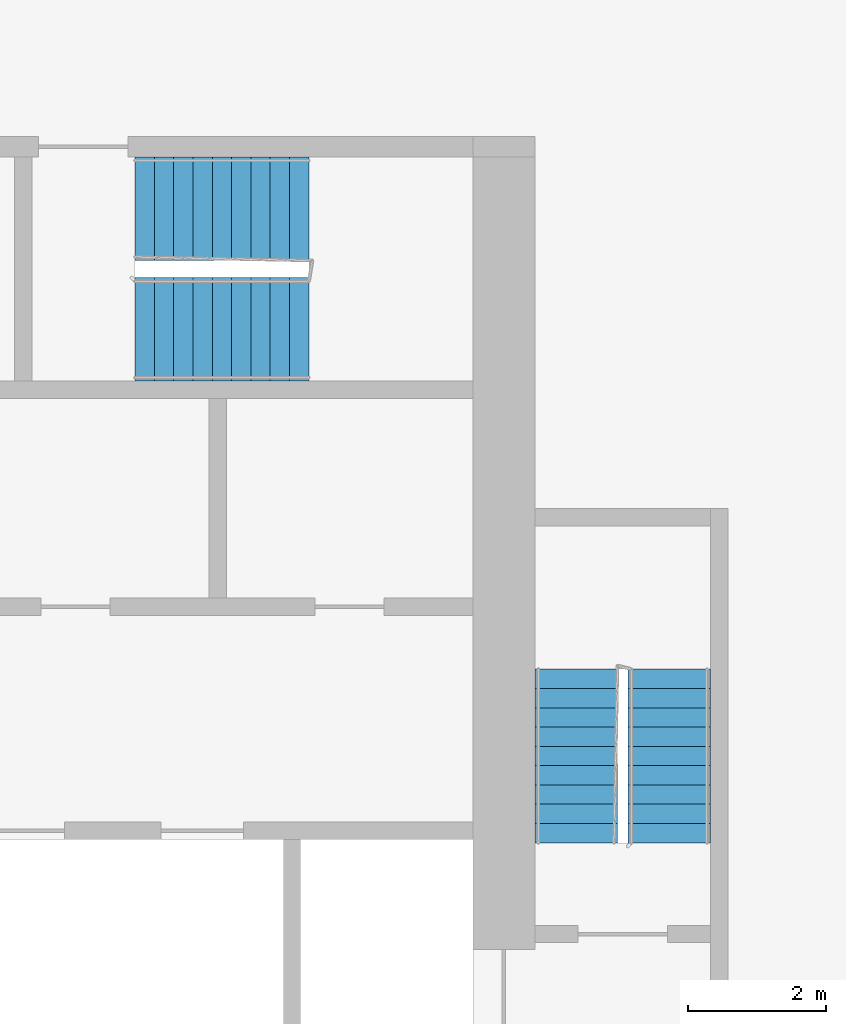
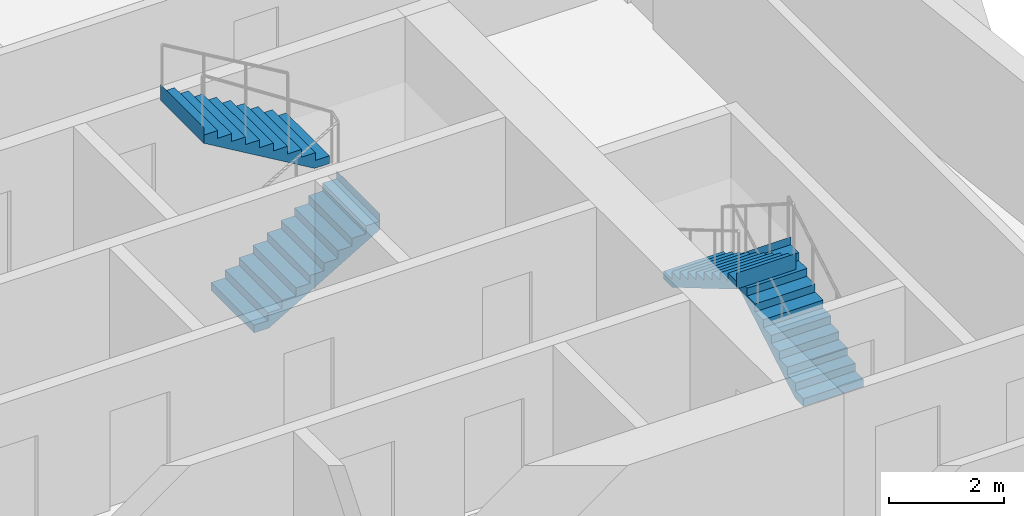
# One storey, part 11 of 13: 4 stair flights, 2 elements without a shape of their own.
"""IFC4 building model written with IfcOpenShell, lengths in metres."""

from ifc_helpers import new_model, si_unit, direction, frame, origin, place, context, subcontext, project, spatial, faceted_brep, material, type_object, element, aggregate, save


model = new_model("IFC4")

# Units and contexts
model_context = context("Model", 3, precision=1e-05, world=origin(), true_north=direction((0.0, 1.0)))
body_context = subcontext(model_context, "Body", "Model", "MODEL_VIEW")
ifc_project = project(units=[si_unit("LENGTHUNIT", "METRE"), si_unit("AREAUNIT", "SQUARE_METRE"), si_unit("VOLUMEUNIT", "CUBIC_METRE"), si_unit("PLANEANGLEUNIT", "RADIAN"), si_unit("MASSUNIT", "GRAM", prefix="KILO")], contexts=[model_context])

# Site, building, storey
site_placement = place(None, origin())
site = spatial("IfcSite", under=ifc_project, at=site_placement, CompositionType="ELEMENT")
building_placement = place(site_placement, origin())
building = spatial("IfcBuilding", under=site, at=building_placement, Name="Kajstack Hotel Tower", CompositionType="ELEMENT")
storey_placement = place(building_placement, frame((0.0, 0.0, 186.699951171875)))
storey = spatial("IfcBuildingStorey", under=building, at=storey_placement, Name="L44", CompositionType="ELEMENT", Elevation=186.699951171875)

# Stair, stair flights
ifc_material = material(Name="Concrete C40/50", Category="concrete")
stair_type_1 = type_object("IfcStairType", Name="Exit stair 1200", PredefinedType="HALF_TURN_STAIR", material=ifc_material)
stair_1_placement = place(storey_placement, origin())
stair_1 = element("IfcStair", 1, at=stair_1_placement, inside=storey, type_object=stair_type_1, Name="L44 stair E1", PredefinedType="HALF_TURN_STAIR")
stair_flight_type_1 = type_object("IfcStairFlightType", Name="Exit stair flight 1200", PredefinedType="STRAIGHT", material=ifc_material)
stair_flight_1_placement = place(storey_placement, frame((33.449951171875, 5.25, 0.0), z_axis=(0.0, 0.0, 1.0), x_axis=(0.0, 1.0, 0.0)))
stair_flight_1 = element("IfcStairFlight", 2, at=stair_flight_1_placement, type_object=stair_flight_type_1, Name="E1 flight 1", NumberOfRisers=10, NumberOfTreads=9, PredefinedType="STRAIGHT", RiserHeight=0.165, TreadLength=0.28, context=body_context, shape_type="Brep", body=[
    faceted_brep([(0.295654296875, -0.60009765625, 0.0), (2.5205078125, -0.60009765625, 1.31103515625), (2.5205078125, -0.60009765625, 1.64990234375), (2.52001953125, -0.60009765625, 1.64990234375), (2.52001953125, -0.60009765625, 1.485107421875), (2.239990234375, -0.60009765625, 1.485107421875), (2.239990234375, -0.60009765625, 1.320068359375), (1.9599609375, -0.60009765625, 1.320068359375), (1.9599609375, -0.60009765625, 1.155029296875), (1.679931640625, -0.60009765625, 1.155029296875), (1.679931640625, -0.60009765625, 0.989990234375), (1.39990234375, -0.60009765625, 0.989990234375), (1.39990234375, -0.60009765625, 0.824951171875), (1.1201171875, -0.60009765625, 0.824951171875), (1.1201171875, -0.60009765625, 0.659912109375), (0.840087890625, -0.60009765625, 0.659912109375), (0.840087890625, -0.60009765625, 0.4951171875), (0.56005859375, -0.60009765625, 0.4951171875), (0.56005859375, -0.60009765625, 0.330078125), (0.280029296875, -0.60009765625, 0.330078125), (0.280029296875, -0.60009765625, 0.1650390625), (-0.00048828125, -0.60009765625, 0.1650390625), (-0.00048828125, -0.60009765625, 0.0), (-0.00048828125, 0.60009765625, 0.0), (-0.00048828125, 0.60009765625, 0.1650390625), (0.280029296875, 0.60009765625, 0.1650390625), (0.280029296875, 0.60009765625, 0.330078125), (0.56005859375, 0.60009765625, 0.330078125), (0.56005859375, 0.60009765625, 0.4951171875), (0.840087890625, 0.60009765625, 0.4951171875), (0.840087890625, 0.60009765625, 0.659912109375), (1.1201171875, 0.60009765625, 0.659912109375), (1.1201171875, 0.60009765625, 0.824951171875), (1.39990234375, 0.60009765625, 0.824951171875), (1.39990234375, 0.60009765625, 0.989990234375), (1.679931640625, 0.60009765625, 0.989990234375), (1.679931640625, 0.60009765625, 1.155029296875), (1.9599609375, 0.60009765625, 1.155029296875), (1.9599609375, 0.60009765625, 1.320068359375), (2.239990234375, 0.60009765625, 1.320068359375), (2.239990234375, 0.60009765625, 1.485107421875), (2.52001953125, 0.60009765625, 1.485107421875), (2.52001953125, 0.60009765625, 1.64990234375), (2.5205078125, 0.60009765625, 1.64990234375), (2.5205078125, 0.60009765625, 1.31103515625), (0.295654296875, 0.60009765625, 0.0), (-0.00048828125, -0.300048828125, 0.1650390625), (-0.00048828125, 0.0, 0.1650390625), (-0.00048828125, 0.300048828125, 0.1650390625), (-0.00048828125, 0.300048828125, 0.0), (-0.00048828125, 0.0, 0.0), (-0.00048828125, -0.300048828125, 0.0), (0.280029296875, -0.300048828125, 0.1650390625), (0.280029296875, 0.0, 0.1650390625), (0.280029296875, 0.300048828125, 0.1650390625), (0.280029296875, -0.300048828125, 0.330078125), (0.280029296875, 0.0, 0.330078125), (0.280029296875, 0.300048828125, 0.330078125), (0.56005859375, -0.300048828125, 0.330078125), (0.56005859375, 0.0, 0.330078125), (0.56005859375, 0.300048828125, 0.330078125), (0.56005859375, -0.300048828125, 0.4951171875), (0.56005859375, 0.0, 0.4951171875), (0.56005859375, 0.300048828125, 0.4951171875), (0.840087890625, -0.300048828125, 0.4951171875), (0.840087890625, 0.0, 0.4951171875), (0.840087890625, 0.300048828125, 0.4951171875), (0.840087890625, -0.300048828125, 0.659912109375), (0.840087890625, 0.0, 0.659912109375), (0.840087890625, 0.300048828125, 0.659912109375), (1.1201171875, -0.300048828125, 0.659912109375), (1.1201171875, 0.0, 0.659912109375), (1.1201171875, 0.300048828125, 0.659912109375), (1.1201171875, -0.300048828125, 0.824951171875), (1.1201171875, 0.0, 0.824951171875), (1.1201171875, 0.300048828125, 0.824951171875), (1.39990234375, -0.300048828125, 0.824951171875), (1.39990234375, 0.0, 0.824951171875), (1.39990234375, 0.300048828125, 0.824951171875), (1.39990234375, -0.300048828125, 0.989990234375), (1.39990234375, 0.0, 0.989990234375), (1.39990234375, 0.300048828125, 0.989990234375), (1.679931640625, -0.300048828125, 0.989990234375), (1.679931640625, 0.0, 0.989990234375), (1.679931640625, 0.300048828125, 0.989990234375), (1.679931640625, -0.300048828125, 1.155029296875), (1.679931640625, 0.0, 1.155029296875), (1.679931640625, 0.300048828125, 1.155029296875), (1.9599609375, -0.300048828125, 1.155029296875), (1.9599609375, 0.0, 1.155029296875), (1.9599609375, 0.300048828125, 1.155029296875), (1.9599609375, -0.300048828125, 1.320068359375), (1.9599609375, 0.0, 1.320068359375), (1.9599609375, 0.300048828125, 1.320068359375), (2.239990234375, -0.300048828125, 1.320068359375), (2.239990234375, 0.0, 1.320068359375), (2.239990234375, 0.300048828125, 1.320068359375), (2.239990234375, -0.300048828125, 1.485107421875), (2.239990234375, 0.0, 1.485107421875), (2.239990234375, 0.300048828125, 1.485107421875), (2.52001953125, -0.300048828125, 1.485107421875), (2.52001953125, 0.0, 1.485107421875), (2.52001953125, 0.300048828125, 1.485107421875), (2.52001953125, -0.300048828125, 1.64990234375), (2.52001953125, 0.0, 1.64990234375), (2.52001953125, 0.300048828125, 1.64990234375), (2.5205078125, -0.300048828125, 1.64990234375), (2.5205078125, 0.0, 1.64990234375), (2.5205078125, 0.300048828125, 1.64990234375), (2.5205078125, -0.300048828125, 1.31103515625), (2.5205078125, 0.0, 1.31103515625), (2.5205078125, 0.300048828125, 1.31103515625), (0.295654296875, -0.300048828125, 0.0), (0.295654296875, 0.0, 0.0), (0.295654296875, 0.300048828125, 0.0)], [[[0, 1, 2, 3, 4, 5, 6, 7, 8, 9, 10, 11, 12, 13, 14, 15, 16, 17, 18, 19, 20, 21, 22]], [[23, 24, 25, 26, 27, 28, 29, 30, 31, 32, 33, 34, 35, 36, 37, 38, 39, 40, 41, 42, 43, 44, 45]], [[21, 46, 47, 48, 24, 23, 49, 50, 51, 22]], [[20, 52, 53, 54, 25, 24, 48, 47, 46, 21]], [[19, 55, 56, 57, 26, 25, 54, 53, 52, 20]], [[18, 58, 59, 60, 27, 26, 57, 56, 55, 19]], [[17, 61, 62, 63, 28, 27, 60, 59, 58, 18]], [[16, 64, 65, 66, 29, 28, 63, 62, 61, 17]], [[15, 67, 68, 69, 30, 29, 66, 65, 64, 16]], [[14, 70, 71, 72, 31, 30, 69, 68, 67, 15]], [[13, 73, 74, 75, 32, 31, 72, 71, 70, 14]], [[12, 76, 77, 78, 33, 32, 75, 74, 73, 13]], [[11, 79, 80, 81, 34, 33, 78, 77, 76, 12]], [[10, 82, 83, 84, 35, 34, 81, 80, 79, 11]], [[9, 85, 86, 87, 36, 35, 84, 83, 82, 10]], [[8, 88, 89, 90, 37, 36, 87, 86, 85, 9]], [[7, 91, 92, 93, 38, 37, 90, 89, 88, 8]], [[6, 94, 95, 96, 39, 38, 93, 92, 91, 7]], [[5, 97, 98, 99, 40, 39, 96, 95, 94, 6]], [[4, 100, 101, 102, 41, 40, 99, 98, 97, 5]], [[3, 103, 104, 105, 42, 41, 102, 101, 100, 4]], [[2, 106, 107, 108, 43, 42, 105, 104, 103, 3]], [[1, 109, 110, 111, 44, 43, 108, 107, 106, 2]], [[0, 112, 113, 114, 45, 44, 111, 110, 109, 1]], [[22, 51, 50, 49, 23, 45, 114, 113, 112, 0]]]),
])
stair_flight_2_placement = place(storey_placement, frame((32.10009765625, 7.77001953125, 1.650146484375), z_axis=(0.0, 0.0, 1.0), x_axis=(0.0, -1.0, 0.0)))
stair_flight_2 = element("IfcStairFlight", 3, at=stair_flight_2_placement, type_object=stair_flight_type_1, Name="E1 flight 2", NumberOfRisers=10, NumberOfTreads=9, PredefinedType="STRAIGHT", RiserHeight=0.165, TreadLength=0.28, context=body_context, shape_type="Brep", body=[
    faceted_brep([(0.295654296875, -0.60009765625, 0.0), (2.5205078125, -0.60009765625, 1.31103515625), (2.5205078125, -0.60009765625, 1.64990234375), (2.52001953125, -0.60009765625, 1.64990234375), (2.52001953125, -0.60009765625, 1.485107421875), (2.239990234375, -0.60009765625, 1.485107421875), (2.239990234375, -0.60009765625, 1.320068359375), (1.9599609375, -0.60009765625, 1.320068359375), (1.9599609375, -0.60009765625, 1.155029296875), (1.679931640625, -0.60009765625, 1.155029296875), (1.679931640625, -0.60009765625, 0.989990234375), (1.39990234375, -0.60009765625, 0.989990234375), (1.39990234375, -0.60009765625, 0.824951171875), (1.1201171875, -0.60009765625, 0.824951171875), (1.1201171875, -0.60009765625, 0.659912109375), (0.840087890625, -0.60009765625, 0.659912109375), (0.840087890625, -0.60009765625, 0.4951171875), (0.56005859375, -0.60009765625, 0.4951171875), (0.56005859375, -0.60009765625, 0.330078125), (0.280029296875, -0.60009765625, 0.330078125), (0.280029296875, -0.60009765625, 0.1650390625), (-0.00048828125, -0.60009765625, 0.1650390625), (-0.00048828125, -0.60009765625, 0.0), (-0.00048828125, 0.60009765625, 0.0), (-0.00048828125, 0.60009765625, 0.1650390625), (0.280029296875, 0.60009765625, 0.1650390625), (0.280029296875, 0.60009765625, 0.330078125), (0.56005859375, 0.60009765625, 0.330078125), (0.56005859375, 0.60009765625, 0.4951171875), (0.840087890625, 0.60009765625, 0.4951171875), (0.840087890625, 0.60009765625, 0.659912109375), (1.1201171875, 0.60009765625, 0.659912109375), (1.1201171875, 0.60009765625, 0.824951171875), (1.39990234375, 0.60009765625, 0.824951171875), (1.39990234375, 0.60009765625, 0.989990234375), (1.679931640625, 0.60009765625, 0.989990234375), (1.679931640625, 0.60009765625, 1.155029296875), (1.9599609375, 0.60009765625, 1.155029296875), (1.9599609375, 0.60009765625, 1.320068359375), (2.239990234375, 0.60009765625, 1.320068359375), (2.239990234375, 0.60009765625, 1.485107421875), (2.52001953125, 0.60009765625, 1.485107421875), (2.52001953125, 0.60009765625, 1.64990234375), (2.5205078125, 0.60009765625, 1.64990234375), (2.5205078125, 0.60009765625, 1.31103515625), (0.295654296875, 0.60009765625, 0.0), (-0.00048828125, -0.300048828125, 0.1650390625), (-0.00048828125, 0.0, 0.1650390625), (-0.00048828125, 0.300048828125, 0.1650390625), (-0.00048828125, 0.300048828125, 0.0), (-0.00048828125, 0.0, 0.0), (-0.00048828125, -0.300048828125, 0.0), (0.280029296875, -0.300048828125, 0.1650390625), (0.280029296875, 0.0, 0.1650390625), (0.280029296875, 0.300048828125, 0.1650390625), (0.280029296875, -0.300048828125, 0.330078125), (0.280029296875, 0.0, 0.330078125), (0.280029296875, 0.300048828125, 0.330078125), (0.56005859375, -0.300048828125, 0.330078125), (0.56005859375, 0.0, 0.330078125), (0.56005859375, 0.300048828125, 0.330078125), (0.56005859375, -0.300048828125, 0.4951171875), (0.56005859375, 0.0, 0.4951171875), (0.56005859375, 0.300048828125, 0.4951171875), (0.840087890625, -0.300048828125, 0.4951171875), (0.840087890625, 0.0, 0.4951171875), (0.840087890625, 0.300048828125, 0.4951171875), (0.840087890625, -0.300048828125, 0.659912109375), (0.840087890625, 0.0, 0.659912109375), (0.840087890625, 0.300048828125, 0.659912109375), (1.1201171875, -0.300048828125, 0.659912109375), (1.1201171875, 0.0, 0.659912109375), (1.1201171875, 0.300048828125, 0.659912109375), (1.1201171875, -0.300048828125, 0.824951171875), (1.1201171875, 0.0, 0.824951171875), (1.1201171875, 0.300048828125, 0.824951171875), (1.39990234375, -0.300048828125, 0.824951171875), (1.39990234375, 0.0, 0.824951171875), (1.39990234375, 0.300048828125, 0.824951171875), (1.39990234375, -0.300048828125, 0.989990234375), (1.39990234375, 0.0, 0.989990234375), (1.39990234375, 0.300048828125, 0.989990234375), (1.679931640625, -0.300048828125, 0.989990234375), (1.679931640625, 0.0, 0.989990234375), (1.679931640625, 0.300048828125, 0.989990234375), (1.679931640625, -0.300048828125, 1.155029296875), (1.679931640625, 0.0, 1.155029296875), (1.679931640625, 0.300048828125, 1.155029296875), (1.9599609375, -0.300048828125, 1.155029296875), (1.9599609375, 0.0, 1.155029296875), (1.9599609375, 0.300048828125, 1.155029296875), (1.9599609375, -0.300048828125, 1.320068359375), (1.9599609375, 0.0, 1.320068359375), (1.9599609375, 0.300048828125, 1.320068359375), (2.239990234375, -0.300048828125, 1.320068359375), (2.239990234375, 0.0, 1.320068359375), (2.239990234375, 0.300048828125, 1.320068359375), (2.239990234375, -0.300048828125, 1.485107421875), (2.239990234375, 0.0, 1.485107421875), (2.239990234375, 0.300048828125, 1.485107421875), (2.52001953125, -0.300048828125, 1.485107421875), (2.52001953125, 0.0, 1.485107421875), (2.52001953125, 0.300048828125, 1.485107421875), (2.52001953125, -0.300048828125, 1.64990234375), (2.52001953125, 0.0, 1.64990234375), (2.52001953125, 0.300048828125, 1.64990234375), (2.5205078125, -0.300048828125, 1.64990234375), (2.5205078125, 0.0, 1.64990234375), (2.5205078125, 0.300048828125, 1.64990234375), (2.5205078125, -0.300048828125, 1.31103515625), (2.5205078125, 0.0, 1.31103515625), (2.5205078125, 0.300048828125, 1.31103515625), (0.295654296875, -0.300048828125, 0.0), (0.295654296875, 0.0, 0.0), (0.295654296875, 0.300048828125, 0.0)], [[[0, 1, 2, 3, 4, 5, 6, 7, 8, 9, 10, 11, 12, 13, 14, 15, 16, 17, 18, 19, 20, 21, 22]], [[23, 24, 25, 26, 27, 28, 29, 30, 31, 32, 33, 34, 35, 36, 37, 38, 39, 40, 41, 42, 43, 44, 45]], [[21, 46, 47, 48, 24, 23, 49, 50, 51, 22]], [[20, 52, 53, 54, 25, 24, 48, 47, 46, 21]], [[19, 55, 56, 57, 26, 25, 54, 53, 52, 20]], [[18, 58, 59, 60, 27, 26, 57, 56, 55, 19]], [[17, 61, 62, 63, 28, 27, 60, 59, 58, 18]], [[16, 64, 65, 66, 29, 28, 63, 62, 61, 17]], [[15, 67, 68, 69, 30, 29, 66, 65, 64, 16]], [[14, 70, 71, 72, 31, 30, 69, 68, 67, 15]], [[13, 73, 74, 75, 32, 31, 72, 71, 70, 14]], [[12, 76, 77, 78, 33, 32, 75, 74, 73, 13]], [[11, 79, 80, 81, 34, 33, 78, 77, 76, 12]], [[10, 82, 83, 84, 35, 34, 81, 80, 79, 11]], [[9, 85, 86, 87, 36, 35, 84, 83, 82, 10]], [[8, 88, 89, 90, 37, 36, 87, 86, 85, 9]], [[7, 91, 92, 93, 38, 37, 90, 89, 88, 8]], [[6, 94, 95, 96, 39, 38, 93, 92, 91, 7]], [[5, 97, 98, 99, 40, 39, 96, 95, 94, 6]], [[4, 100, 101, 102, 41, 40, 99, 98, 97, 5]], [[3, 103, 104, 105, 42, 41, 102, 101, 100, 4]], [[2, 106, 107, 108, 43, 42, 105, 104, 103, 3]], [[1, 109, 110, 111, 44, 43, 108, 107, 106, 2]], [[0, 112, 113, 114, 45, 44, 111, 110, 109, 1]], [[22, 51, 50, 49, 23, 45, 114, 113, 112, 0]]]),
])
aggregate(stair_1, [stair_flight_1, stair_flight_2])

stair_type_2 = type_object("IfcStairType", Name="Exit stair 1500", PredefinedType="HALF_TURN_STAIR", material=ifc_material)
stair_2_placement = place(storey_placement, origin())
stair_2 = element("IfcStair", 4, at=stair_2_placement, inside=storey, type_object=stair_type_2, Name="L44 stair E3", PredefinedType="HALF_TURN_STAIR")
stair_flight_type_2 = type_object("IfcStairFlightType", Name="Exit stair flight 1500", PredefinedType="STRAIGHT", material=ifc_material)
stair_flight_3_placement = place(storey_placement, frame((25.699951171875, 12.699951171875, 0.0), z_axis=(0.0, 0.0, 1.0), x_axis=(1.0, 0.0, 0.0)))
stair_flight_3 = element("IfcStairFlight", 5, at=stair_flight_3_placement, type_object=stair_flight_type_2, Name="E3 flight 1", NumberOfRisers=10, NumberOfTreads=9, PredefinedType="STRAIGHT", RiserHeight=0.165, TreadLength=0.28, context=body_context, shape_type="Brep", body=[
    faceted_brep([(0.295654296875, -0.75, 0.0), (2.5205078125, -0.75, 1.31103515625), (2.5205078125, -0.75, 1.64990234375), (2.52001953125, -0.75, 1.64990234375), (2.52001953125, -0.75, 1.485107421875), (2.239990234375, -0.75, 1.485107421875), (2.239990234375, -0.75, 1.320068359375), (1.9599609375, -0.75, 1.320068359375), (1.9599609375, -0.75, 1.155029296875), (1.679931640625, -0.75, 1.155029296875), (1.679931640625, -0.75, 0.989990234375), (1.39990234375, -0.75, 0.989990234375), (1.39990234375, -0.75, 0.824951171875), (1.1201171875, -0.75, 0.824951171875), (1.1201171875, -0.75, 0.659912109375), (0.840087890625, -0.75, 0.659912109375), (0.840087890625, -0.75, 0.4951171875), (0.56005859375, -0.75, 0.4951171875), (0.56005859375, -0.75, 0.330078125), (0.280029296875, -0.75, 0.330078125), (0.280029296875, -0.75, 0.1650390625), (-0.00048828125, -0.75, 0.1650390625), (-0.00048828125, -0.75, 0.0), (-0.00048828125, 0.75, 0.0), (-0.00048828125, 0.75, 0.1650390625), (0.280029296875, 0.75, 0.1650390625), (0.280029296875, 0.75, 0.330078125), (0.56005859375, 0.75, 0.330078125), (0.56005859375, 0.75, 0.4951171875), (0.840087890625, 0.75, 0.4951171875), (0.840087890625, 0.75, 0.659912109375), (1.1201171875, 0.75, 0.659912109375), (1.1201171875, 0.75, 0.824951171875), (1.39990234375, 0.75, 0.824951171875), (1.39990234375, 0.75, 0.989990234375), (1.679931640625, 0.75, 0.989990234375), (1.679931640625, 0.75, 1.155029296875), (1.9599609375, 0.75, 1.155029296875), (1.9599609375, 0.75, 1.320068359375), (2.239990234375, 0.75, 1.320068359375), (2.239990234375, 0.75, 1.485107421875), (2.52001953125, 0.75, 1.485107421875), (2.52001953125, 0.75, 1.64990234375), (2.5205078125, 0.75, 1.64990234375), (2.5205078125, 0.75, 1.31103515625), (0.295654296875, 0.75, 0.0), (-0.00048828125, -0.375, 0.1650390625), (-0.00048828125, 0.0, 0.1650390625), (-0.00048828125, 0.375, 0.1650390625), (-0.00048828125, 0.375, 0.0), (-0.00048828125, 0.0, 0.0), (-0.00048828125, -0.375, 0.0), (0.280029296875, -0.375, 0.1650390625), (0.280029296875, 0.0, 0.1650390625), (0.280029296875, 0.375, 0.1650390625), (0.280029296875, -0.375, 0.330078125), (0.280029296875, 0.0, 0.330078125), (0.280029296875, 0.375, 0.330078125), (0.56005859375, -0.375, 0.330078125), (0.56005859375, 0.0, 0.330078125), (0.56005859375, 0.375, 0.330078125), (0.56005859375, -0.375, 0.4951171875), (0.56005859375, 0.0, 0.4951171875), (0.56005859375, 0.375, 0.4951171875), (0.840087890625, -0.375, 0.4951171875), (0.840087890625, 0.0, 0.4951171875), (0.840087890625, 0.375, 0.4951171875), (0.840087890625, -0.375, 0.659912109375), (0.840087890625, 0.0, 0.659912109375), (0.840087890625, 0.375, 0.659912109375), (1.1201171875, -0.375, 0.659912109375), (1.1201171875, 0.0, 0.659912109375), (1.1201171875, 0.375, 0.659912109375), (1.1201171875, -0.375, 0.824951171875), (1.1201171875, 0.0, 0.824951171875), (1.1201171875, 0.375, 0.824951171875), (1.39990234375, -0.375, 0.824951171875), (1.39990234375, 0.0, 0.824951171875), (1.39990234375, 0.375, 0.824951171875), (1.39990234375, -0.375, 0.989990234375), (1.39990234375, 0.0, 0.989990234375), (1.39990234375, 0.375, 0.989990234375), (1.679931640625, -0.375, 0.989990234375), (1.679931640625, 0.0, 0.989990234375), (1.679931640625, 0.375, 0.989990234375), (1.679931640625, -0.375, 1.155029296875), (1.679931640625, 0.0, 1.155029296875), (1.679931640625, 0.375, 1.155029296875), (1.9599609375, -0.375, 1.155029296875), (1.9599609375, 0.0, 1.155029296875), (1.9599609375, 0.375, 1.155029296875), (1.9599609375, -0.375, 1.320068359375), (1.9599609375, 0.0, 1.320068359375), (1.9599609375, 0.375, 1.320068359375), (2.239990234375, -0.375, 1.320068359375), (2.239990234375, 0.0, 1.320068359375), (2.239990234375, 0.375, 1.320068359375), (2.239990234375, -0.375, 1.485107421875), (2.239990234375, 0.0, 1.485107421875), (2.239990234375, 0.375, 1.485107421875), (2.52001953125, -0.375, 1.485107421875), (2.52001953125, 0.0, 1.485107421875), (2.52001953125, 0.375, 1.485107421875), (2.52001953125, -0.375, 1.64990234375), (2.52001953125, 0.0, 1.64990234375), (2.52001953125, 0.375, 1.64990234375), (2.5205078125, -0.375, 1.64990234375), (2.5205078125, 0.0, 1.64990234375), (2.5205078125, 0.375, 1.64990234375), (2.5205078125, -0.375, 1.31103515625), (2.5205078125, 0.0, 1.31103515625), (2.5205078125, 0.375, 1.31103515625), (0.295654296875, -0.375, 0.0), (0.295654296875, 0.0, 0.0), (0.295654296875, 0.375, 0.0)], [[[0, 1, 2, 3, 4, 5, 6, 7, 8, 9, 10, 11, 12, 13, 14, 15, 16, 17, 18, 19, 20, 21, 22]], [[23, 24, 25, 26, 27, 28, 29, 30, 31, 32, 33, 34, 35, 36, 37, 38, 39, 40, 41, 42, 43, 44, 45]], [[21, 46, 47, 48, 24, 23, 49, 50, 51, 22]], [[20, 52, 53, 54, 25, 24, 48, 47, 46, 21]], [[19, 55, 56, 57, 26, 25, 54, 53, 52, 20]], [[18, 58, 59, 60, 27, 26, 57, 56, 55, 19]], [[17, 61, 62, 63, 28, 27, 60, 59, 58, 18]], [[16, 64, 65, 66, 29, 28, 63, 62, 61, 17]], [[15, 67, 68, 69, 30, 29, 66, 65, 64, 16]], [[14, 70, 71, 72, 31, 30, 69, 68, 67, 15]], [[13, 73, 74, 75, 32, 31, 72, 71, 70, 14]], [[12, 76, 77, 78, 33, 32, 75, 74, 73, 13]], [[11, 79, 80, 81, 34, 33, 78, 77, 76, 12]], [[10, 82, 83, 84, 35, 34, 81, 80, 79, 11]], [[9, 85, 86, 87, 36, 35, 84, 83, 82, 10]], [[8, 88, 89, 90, 37, 36, 87, 86, 85, 9]], [[7, 91, 92, 93, 38, 37, 90, 89, 88, 8]], [[6, 94, 95, 96, 39, 38, 93, 92, 91, 7]], [[5, 97, 98, 99, 40, 39, 96, 95, 94, 6]], [[4, 100, 101, 102, 41, 40, 99, 98, 97, 5]], [[3, 103, 104, 105, 42, 41, 102, 101, 100, 4]], [[2, 106, 107, 108, 43, 42, 105, 104, 103, 3]], [[1, 109, 110, 111, 44, 43, 108, 107, 106, 2]], [[0, 112, 113, 114, 45, 44, 111, 110, 109, 1]], [[22, 51, 50, 49, 23, 45, 114, 113, 112, 0]]]),
])
stair_flight_4_placement = place(storey_placement, frame((28.219970703125, 14.449951171875, 1.650146484375), z_axis=(0.0, 0.0, 1.0), x_axis=(-1.0, 0.0, 0.0)))
stair_flight_4 = element("IfcStairFlight", 6, at=stair_flight_4_placement, type_object=stair_flight_type_2, Name="E3 flight 2", NumberOfRisers=10, NumberOfTreads=9, PredefinedType="STRAIGHT", RiserHeight=0.165, TreadLength=0.28, context=body_context, shape_type="Brep", body=[
    faceted_brep([(0.295654296875, -0.75, 0.0), (2.5205078125, -0.75, 1.31103515625), (2.5205078125, -0.75, 1.64990234375), (2.52001953125, -0.75, 1.64990234375), (2.52001953125, -0.75, 1.485107421875), (2.239990234375, -0.75, 1.485107421875), (2.239990234375, -0.75, 1.320068359375), (1.9599609375, -0.75, 1.320068359375), (1.9599609375, -0.75, 1.155029296875), (1.679931640625, -0.75, 1.155029296875), (1.679931640625, -0.75, 0.989990234375), (1.39990234375, -0.75, 0.989990234375), (1.39990234375, -0.75, 0.824951171875), (1.1201171875, -0.75, 0.824951171875), (1.1201171875, -0.75, 0.659912109375), (0.840087890625, -0.75, 0.659912109375), (0.840087890625, -0.75, 0.4951171875), (0.56005859375, -0.75, 0.4951171875), (0.56005859375, -0.75, 0.330078125), (0.280029296875, -0.75, 0.330078125), (0.280029296875, -0.75, 0.1650390625), (-0.00048828125, -0.75, 0.1650390625), (-0.00048828125, -0.75, 0.0), (-0.00048828125, 0.75, 0.0), (-0.00048828125, 0.75, 0.1650390625), (0.280029296875, 0.75, 0.1650390625), (0.280029296875, 0.75, 0.330078125), (0.56005859375, 0.75, 0.330078125), (0.56005859375, 0.75, 0.4951171875), (0.840087890625, 0.75, 0.4951171875), (0.840087890625, 0.75, 0.659912109375), (1.1201171875, 0.75, 0.659912109375), (1.1201171875, 0.75, 0.824951171875), (1.39990234375, 0.75, 0.824951171875), (1.39990234375, 0.75, 0.989990234375), (1.679931640625, 0.75, 0.989990234375), (1.679931640625, 0.75, 1.155029296875), (1.9599609375, 0.75, 1.155029296875), (1.9599609375, 0.75, 1.320068359375), (2.239990234375, 0.75, 1.320068359375), (2.239990234375, 0.75, 1.485107421875), (2.52001953125, 0.75, 1.485107421875), (2.52001953125, 0.75, 1.64990234375), (2.5205078125, 0.75, 1.64990234375), (2.5205078125, 0.75, 1.31103515625), (0.295654296875, 0.75, 0.0), (-0.00048828125, -0.375, 0.1650390625), (-0.00048828125, 0.0, 0.1650390625), (-0.00048828125, 0.375, 0.1650390625), (-0.00048828125, 0.375, 0.0), (-0.00048828125, 0.0, 0.0), (-0.00048828125, -0.375, 0.0), (0.280029296875, -0.375, 0.1650390625), (0.280029296875, 0.0, 0.1650390625), (0.280029296875, 0.375, 0.1650390625), (0.280029296875, -0.375, 0.330078125), (0.280029296875, 0.0, 0.330078125), (0.280029296875, 0.375, 0.330078125), (0.56005859375, -0.375, 0.330078125), (0.56005859375, 0.0, 0.330078125), (0.56005859375, 0.375, 0.330078125), (0.56005859375, -0.375, 0.4951171875), (0.56005859375, 0.0, 0.4951171875), (0.56005859375, 0.375, 0.4951171875), (0.840087890625, -0.375, 0.4951171875), (0.840087890625, 0.0, 0.4951171875), (0.840087890625, 0.375, 0.4951171875), (0.840087890625, -0.375, 0.659912109375), (0.840087890625, 0.0, 0.659912109375), (0.840087890625, 0.375, 0.659912109375), (1.1201171875, -0.375, 0.659912109375), (1.1201171875, 0.0, 0.659912109375), (1.1201171875, 0.375, 0.659912109375), (1.1201171875, -0.375, 0.824951171875), (1.1201171875, 0.0, 0.824951171875), (1.1201171875, 0.375, 0.824951171875), (1.39990234375, -0.375, 0.824951171875), (1.39990234375, 0.0, 0.824951171875), (1.39990234375, 0.375, 0.824951171875), (1.39990234375, -0.375, 0.989990234375), (1.39990234375, 0.0, 0.989990234375), (1.39990234375, 0.375, 0.989990234375), (1.679931640625, -0.375, 0.989990234375), (1.679931640625, 0.0, 0.989990234375), (1.679931640625, 0.375, 0.989990234375), (1.679931640625, -0.375, 1.155029296875), (1.679931640625, 0.0, 1.155029296875), (1.679931640625, 0.375, 1.155029296875), (1.9599609375, -0.375, 1.155029296875), (1.9599609375, 0.0, 1.155029296875), (1.9599609375, 0.375, 1.155029296875), (1.9599609375, -0.375, 1.320068359375), (1.9599609375, 0.0, 1.320068359375), (1.9599609375, 0.375, 1.320068359375), (2.239990234375, -0.375, 1.320068359375), (2.239990234375, 0.0, 1.320068359375), (2.239990234375, 0.375, 1.320068359375), (2.239990234375, -0.375, 1.485107421875), (2.239990234375, 0.0, 1.485107421875), (2.239990234375, 0.375, 1.485107421875), (2.52001953125, -0.375, 1.485107421875), (2.52001953125, 0.0, 1.485107421875), (2.52001953125, 0.375, 1.485107421875), (2.52001953125, -0.375, 1.64990234375), (2.52001953125, 0.0, 1.64990234375), (2.52001953125, 0.375, 1.64990234375), (2.5205078125, -0.375, 1.64990234375), (2.5205078125, 0.0, 1.64990234375), (2.5205078125, 0.375, 1.64990234375), (2.5205078125, -0.375, 1.31103515625), (2.5205078125, 0.0, 1.31103515625), (2.5205078125, 0.375, 1.31103515625), (0.295654296875, -0.375, 0.0), (0.295654296875, 0.0, 0.0), (0.295654296875, 0.375, 0.0)], [[[0, 1, 2, 3, 4, 5, 6, 7, 8, 9, 10, 11, 12, 13, 14, 15, 16, 17, 18, 19, 20, 21, 22]], [[23, 24, 25, 26, 27, 28, 29, 30, 31, 32, 33, 34, 35, 36, 37, 38, 39, 40, 41, 42, 43, 44, 45]], [[21, 46, 47, 48, 24, 23, 49, 50, 51, 22]], [[20, 52, 53, 54, 25, 24, 48, 47, 46, 21]], [[19, 55, 56, 57, 26, 25, 54, 53, 52, 20]], [[18, 58, 59, 60, 27, 26, 57, 56, 55, 19]], [[17, 61, 62, 63, 28, 27, 60, 59, 58, 18]], [[16, 64, 65, 66, 29, 28, 63, 62, 61, 17]], [[15, 67, 68, 69, 30, 29, 66, 65, 64, 16]], [[14, 70, 71, 72, 31, 30, 69, 68, 67, 15]], [[13, 73, 74, 75, 32, 31, 72, 71, 70, 14]], [[12, 76, 77, 78, 33, 32, 75, 74, 73, 13]], [[11, 79, 80, 81, 34, 33, 78, 77, 76, 12]], [[10, 82, 83, 84, 35, 34, 81, 80, 79, 11]], [[9, 85, 86, 87, 36, 35, 84, 83, 82, 10]], [[8, 88, 89, 90, 37, 36, 87, 86, 85, 9]], [[7, 91, 92, 93, 38, 37, 90, 89, 88, 8]], [[6, 94, 95, 96, 39, 38, 93, 92, 91, 7]], [[5, 97, 98, 99, 40, 39, 96, 95, 94, 6]], [[4, 100, 101, 102, 41, 40, 99, 98, 97, 5]], [[3, 103, 104, 105, 42, 41, 102, 101, 100, 4]], [[2, 106, 107, 108, 43, 42, 105, 104, 103, 3]], [[1, 109, 110, 111, 44, 43, 108, 107, 106, 2]], [[0, 112, 113, 114, 45, 44, 111, 110, 109, 1]], [[22, 51, 50, 49, 23, 45, 114, 113, 112, 0]]]),
])
aggregate(stair_2, [stair_flight_3, stair_flight_4])

save(model, "model.ifc")
